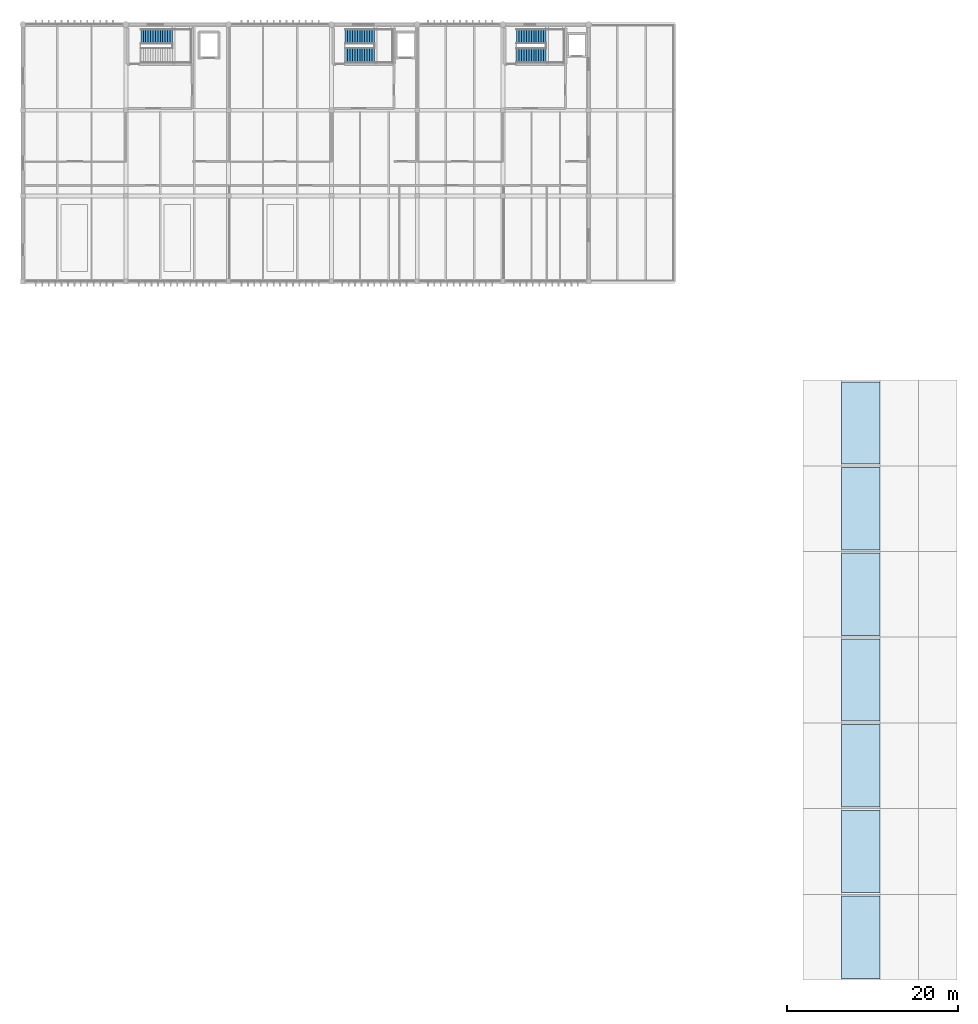
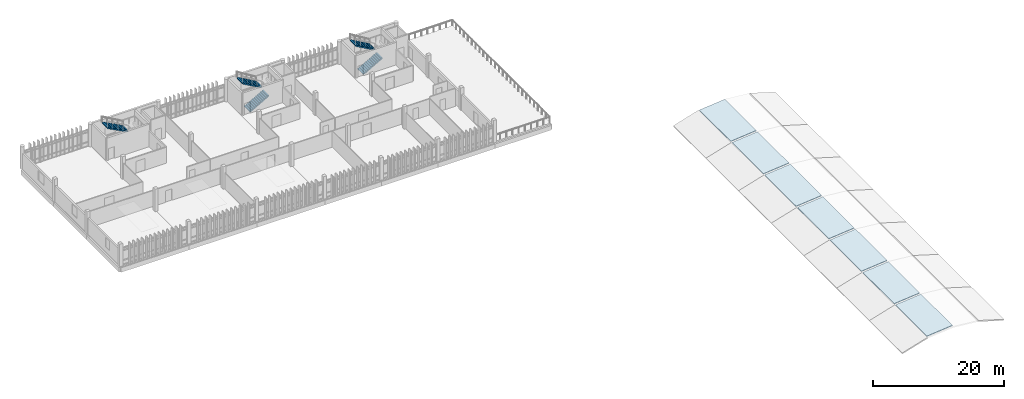
# One storey, part 27 of 29: 7 roofs, 5 stair flights, 3 elements without a shape of their own.
"""IFC4 building model written with IfcOpenShell, lengths in metres."""

import ifcopenshell
import ifcopenshell.guid

model = None  # the IFC model being written
_history = None  # IfcOwnerHistory: only IFC2X3 demands one
_inside = {}  # id of a spatial element -> (the spatial element, [elements in it])
_under = {}  # id of a project, library or spatial element -> (it, [spatial elements below it])
_declared = {}  # id of a project -> (the project, [libraries it declares])
_typed = {}  # id of a type object -> (the type object, [elements of that type])
_made_of = {}  # id of a material, layer set ... -> (it, [elements and type objects made of it])


def new_model(schema):
    """Start an empty IFC model of exactly this schema.

    Asked for "IFC4X3", IfcOpenShell would pick the latest addendum, in which some entities
    have other attributes; the version numbers below select the first issue.
    IFC2X3 requires an IfcOwnerHistory on every rooted entity: one is made here for all.
    """
    global model, _history
    if schema == "IFC4X3":
        model = ifcopenshell.file(schema_version=(4, 3, 0, 0))
    else:
        model = ifcopenshell.file(schema=schema)
    _inside.clear()
    _under.clear()
    _declared.clear()
    _typed.clear()
    _made_of.clear()
    _history = None
    if model.schema == "IFC2X3":
        org = make("IfcOrganization", Name="unknown")
        user = make(
            "IfcPersonAndOrganization",
            ThePerson=make("IfcPerson", FamilyName="unknown"),
            TheOrganization=org,
        )
        app = make(
            "IfcApplication",
            ApplicationDeveloper=org,
            Version="unknown",
            ApplicationFullName="unknown",
            ApplicationIdentifier="unknown",
        )
        _history = make(
            "IfcOwnerHistory",
            OwningUser=user,
            OwningApplication=app,
            ChangeAction="ADDED",
            CreationDate=0,
        )
    return model


def make(cls, **values):
    """One entity of the class cls with the attributes given. An attribute that is None is left unset."""
    return model.create_entity(
        cls, **{name: value for name, value in values.items() if value is not None}
    )


def rooted(cls, **values):
    """An entity with a GlobalId (a new one), such as an element, a storey or a relation."""
    return make(cls, GlobalId=ifcopenshell.guid.new(), OwnerHistory=_history, **values)


def si_unit(unit_type, name, prefix=None):
    """IfcSIUnit, for example si_unit("LENGTHUNIT", "METRE", prefix="MILLI")."""
    return make("IfcSIUnit", UnitType=unit_type, Prefix=prefix, Name=name)


def assignment(units):
    """IfcUnitAssignment: the units of a project."""
    return None if units is None else make("IfcUnitAssignment", Units=units)


def point(xyz):
    """IfcCartesianPoint."""
    return None if xyz is None else make("IfcCartesianPoint", Coordinates=xyz)


def direction(xyz):
    """IfcDirection."""
    return None if xyz is None else make("IfcDirection", DirectionRatios=xyz)


def frame(location, z_axis=None, x_axis=None):
    """IfcAxis2Placement3D, a coordinate frame: its origin and axes. An axis left out is left unset."""
    return make(
        "IfcAxis2Placement3D",
        Location=point(location),
        Axis=direction(z_axis),
        RefDirection=direction(x_axis),
    )


def origin():
    """The frame at (0, 0, 0) with its axes left unset."""
    return frame((0.0, 0.0, 0.0))


def place(relative_to, where):
    """IfcLocalPlacement: puts the frame where relative to a parent placement (None: the world)."""
    return make(
        "IfcLocalPlacement", PlacementRelTo=relative_to, RelativePlacement=where
    )


def context(
    kind, dimensions, precision=None, world=None, true_north=None, identifier=None
):
    """IfcGeometricRepresentationContext, for example the 3D "Model" context."""
    return make(
        "IfcGeometricRepresentationContext",
        ContextIdentifier=identifier,
        ContextType=kind,
        CoordinateSpaceDimension=dimensions,
        Precision=precision,
        WorldCoordinateSystem=world,
        TrueNorth=true_north,
    )


def subcontext(parent, identifier, kind, view, scale=None):
    """IfcGeometricRepresentationSubContext, for example "Body" below "Model"."""
    return make(
        "IfcGeometricRepresentationSubContext",
        ContextIdentifier=identifier,
        ContextType=kind,
        ParentContext=parent,
        TargetScale=scale,
        TargetView=view,
    )


def project(units=None, contexts=None):
    """IfcProject with its units and contexts."""
    return rooted(
        "IfcProject",
        Name="project",
        RepresentationContexts=contexts,
        UnitsInContext=assignment(units),
    )


def spatial(cls, under=None, at=None, **own):
    """A site, building, storey or space (cls), placed at a placement, below another one or the project."""
    s = rooted(cls, ObjectPlacement=at, **own)
    if under is not None:
        _under.setdefault(under.id(), (under, []))[1].append(s)
    return s


def polyline(points):
    """IfcPolyline through the points."""
    return make("IfcPolyline", Points=[point(p) for p in points])


def outline(outer, holes=None, kind="AREA"):
    """IfcArbitraryClosedProfileDef: a profile drawn as a closed curve; with holes, ...WithVoids."""
    if holes is None:
        return make("IfcArbitraryClosedProfileDef", ProfileType=kind, OuterCurve=outer)
    return make(
        "IfcArbitraryProfileDefWithVoids",
        ProfileType=kind,
        OuterCurve=outer,
        InnerCurves=holes,
    )


def extrude(swept, where, along, depth):
    """IfcExtrudedAreaSolid: the profile swept, set in the frame where, extruded along a direction by depth."""
    return make(
        "IfcExtrudedAreaSolid",
        SweptArea=swept,
        Position=where,
        ExtrudedDirection=direction(along),
        Depth=depth,
    )


def shape(context_of_items, identifier, shape_type, items):
    """IfcShapeRepresentation: the items that make up one representation, for example the "Body"."""
    return make(
        "IfcShapeRepresentation",
        ContextOfItems=context_of_items,
        RepresentationIdentifier=identifier,
        RepresentationType=shape_type,
        Items=items,
    )


def material(Name=None, Category=None):
    """IfcMaterial."""
    return make("IfcMaterial", Name=Name, Category=Category)


def layer(
    of_material, thickness, ventilated=None, Name=None, Category=None, Priority=None
):
    """IfcMaterialLayer: one layer of a wall or slab, of a material (None: an air gap)."""
    return make(
        "IfcMaterialLayer",
        Material=of_material,
        LayerThickness=thickness,
        IsVentilated=ventilated,
        Name=Name,
        Category=Category,
        Priority=Priority,
    )


def layer_set(layers, Name=None):
    """IfcMaterialLayerSet."""
    return make("IfcMaterialLayerSet", MaterialLayers=layers, LayerSetName=Name)


def made_of(thing, what):
    """Note that an element or type object is made of a material, layer set ...; save() writes the relation."""
    if what is not None:
        _made_of.setdefault(what.id(), (what, []))[1].append(thing)
    return thing


def type_object(cls, material=None, **own):
    """A type object (cls), such as IfcWallType, which elements share."""
    return made_of(rooted(cls, **own), material)


def element(
    cls,
    number,
    at=None,
    inside=None,
    cuts=None,
    type_object=None,
    material=None,
    context=None,
    identifier="Body",
    shape_type=None,
    held_by="IfcProductDefinitionShape",
    body=None,
    shapes=None,
    **own,
):
    """One element of the class cls, such as IfcWall. Its Tag is "e" and its number.

    at: its placement. inside: the storey or other place that contains it. cuts: it is an
    opening in that element (IfcRelVoidsElement). A single representation is given by context,
    identifier, shape_type and body (its items); several are given by shapes. held_by: the class
    of the entity that holds the representations. save() writes the other relations.
    """
    e = rooted(cls, Tag="e%d" % number, ObjectPlacement=at, **own)
    if body is not None:
        shapes = [shape(context, identifier, shape_type, body)]
    if shapes is not None:
        e.Representation = make(held_by, Representations=shapes)
    if inside is not None:
        _inside.setdefault(inside.id(), (inside, []))[1].append(e)
    if cuts is not None:
        rooted(
            "IfcRelVoidsElement", RelatingBuildingElement=cuts, RelatedOpeningElement=e
        )
    if type_object is not None:
        _typed.setdefault(type_object.id(), (type_object, []))[1].append(e)
    return made_of(e, material)


def aggregate(whole, parts):
    """IfcRelAggregates: a whole, such as a stair, and the parts it consists of."""
    return rooted("IfcRelAggregates", RelatingObject=whole, RelatedObjects=parts)


def save(model, path):
    """Write the relations noted so far, then the file.

    IfcRelAggregates (storeys below a building ...), IfcRelContainedInSpatialStructure (elements
    in a storey), IfcRelDefinesByType, IfcRelAssociatesMaterial and IfcRelDeclares: one each for
    every whole, place, type object, material and project.
    """
    for whole, parts in _under.values():
        aggregate(whole, parts)
    for where, things in _inside.values():
        rooted(
            "IfcRelContainedInSpatialStructure",
            RelatedElements=things,
            RelatingStructure=where,
        )
    for kind, things in _typed.values():
        rooted("IfcRelDefinesByType", RelatedObjects=things, RelatingType=kind)
    for what, things in _made_of.values():
        rooted("IfcRelAssociatesMaterial", RelatedObjects=things, RelatingMaterial=what)
    for by, libraries in _declared.values():
        rooted("IfcRelDeclares", RelatingContext=by, RelatedDefinitions=libraries)
    model.write(path)


model = new_model("IFC4")

# Units and contexts
model_context = context("Model", 3, precision=1e-05, world=origin(), true_north=direction((0.0, 1.0)))
body_context = subcontext(model_context, "Body", "Model", "MODEL_VIEW")
ifc_project = project(units=[si_unit("LENGTHUNIT", "METRE"), si_unit("AREAUNIT", "SQUARE_METRE"), si_unit("VOLUMEUNIT", "CUBIC_METRE"), si_unit("PLANEANGLEUNIT", "RADIAN"), si_unit("MASSUNIT", "GRAM", prefix="KILO")], contexts=[model_context])

# Site, building, storey
site_placement = place(None, origin())
site = spatial("IfcSite", under=ifc_project, at=site_placement, CompositionType="ELEMENT")
building_placement = place(site_placement, origin())
building = spatial("IfcBuilding", under=site, at=building_placement, Name="Mersad Railyard Sports Hall", CompositionType="ELEMENT")
storey_placement = place(building_placement, frame((0.0, 0.0, 17.39990234375)))
storey = spatial("IfcBuildingStorey", under=building, at=storey_placement, Name="L04", CompositionType="ELEMENT", Elevation=17.39990234375)

# Stair, stair flight
ifc_material_1 = material(Name="Concrete C40/50", Category="concrete")
stair_type_1 = type_object("IfcStairType", Name="ARC-ST-ST01F", PredefinedType="HALF_TURN_STAIR", material=ifc_material_1)
stair_1_placement = place(storey_placement, origin())
stair_1 = element("IfcStair", 1, at=stair_1_placement, inside=storey, type_object=stair_type_1, Name="Core C1 Exit Stair L04-L05", PredefinedType="HALF_TURN_STAIR")
stair_flight_type_1 = type_object("IfcStairFlightType", Name="ARC-SF-ST01FF", PredefinedType="STRAIGHT", material=ifc_material_1)
stair_flight_1_placement = place(storey_placement, frame((72.44189453125, 113.610107421875, 2.10009765625), z_axis=(0.0, 0.0, 1.0), x_axis=(-1.0, 0.0, 0.0)))
stair_flight_1 = element("IfcStairFlight", 2, at=stair_flight_1_placement, type_object=stair_flight_type_1, Name="Core C1 Exit Stair L04-L05 Flight 2", NumberOfRisers=14, NumberOfTreads=13, PredefinedType="STRAIGHT", RiserHeight=0.15, TreadLength=0.284, context=body_context, shape_type="SweptSolid", body=[
    extrude(outline(polyline([(0.0, 0.0), (0.0, 0.14990234375), (0.283935546875, 0.14990234375), (0.283935546875, 0.300048828125), (0.568115234375, 0.300048828125), (0.568115234375, 0.449951171875), (0.85205078125, 0.449951171875), (0.85205078125, 0.60009765625), (1.135986328125, 0.60009765625), (1.135986328125, 0.75), (1.419921875, 0.75), (1.419921875, 0.89990234375), (1.7041015625, 0.89990234375), (1.7041015625, 1.050048828125), (1.988037109375, 1.050048828125), (1.988037109375, 1.199951171875), (2.27197265625, 1.199951171875), (2.27197265625, 1.35009765625), (2.555908203125, 1.35009765625), (2.555908203125, 1.5), (2.840087890625, 1.5), (2.840087890625, 1.64990234375), (3.1240234375, 1.64990234375), (3.1240234375, 1.800048828125), (3.407958984375, 1.800048828125), (3.407958984375, 1.949951171875), (3.69189453125, 1.949951171875), (3.69189453125, 2.10009765625), (3.69189453125, 1.76904296875), (0.34228515625, 0.0), (0.0, 0.0)])), frame((0.0, 0.8701171875, 0.0), z_axis=(0.0, -1.0, 0.0), x_axis=(1.0, 0.0, 0.0)), (0.0, 0.0, 1.0), 1.739990234375),
])
aggregate(stair_1, [stair_flight_1])

# Stair, stair flights
stair_type_2 = type_object("IfcStairType", Name="ARC-ST-ST02F", PredefinedType="HALF_TURN_STAIR", material=ifc_material_1)
stair_2_placement = place(storey_placement, origin())
stair_2 = element("IfcStair", 3, at=stair_2_placement, inside=storey, type_object=stair_type_2, Name="Core C2 Exit Stair L04-L05", PredefinedType="HALF_TURN_STAIR")
stair_flight_type_2 = type_object("IfcStairFlightType", Name="ARC-SF-ST02FF", PredefinedType="STRAIGHT", material=ifc_material_1)
stair_flight_2_placement = place(storey_placement, frame((92.60009765625, 111.389892578125, 0.0), z_axis=(0.0, 0.0, 1.0), x_axis=(1.0, 0.0, 0.0)))
stair_flight_2 = element("IfcStairFlight", 4, at=stair_flight_2_placement, type_object=stair_flight_type_2, Name="Core C2 Exit Stair L04-L05 Flight 1", NumberOfRisers=13, NumberOfTreads=12, PredefinedType="STRAIGHT", RiserHeight=0.161538, TreadLength=0.284, context=body_context, shape_type="SweptSolid", body=[
    extrude(outline(polyline([(0.0, 0.0), (0.0, 0.16162109375), (0.283935546875, 0.16162109375), (0.283935546875, 0.322998046875), (0.568115234375, 0.322998046875), (0.568115234375, 0.484619140625), (0.85205078125, 0.484619140625), (0.85205078125, 0.646240234375), (1.135986328125, 0.646240234375), (1.135986328125, 0.8076171875), (1.419921875, 0.8076171875), (1.419921875, 0.96923828125), (1.7041015625, 0.96923828125), (1.7041015625, 1.130859375), (1.988037109375, 1.130859375), (1.988037109375, 1.292236328125), (2.27197265625, 1.292236328125), (2.27197265625, 1.453857421875), (2.555908203125, 1.453857421875), (2.555908203125, 1.615478515625), (2.840087890625, 1.615478515625), (2.840087890625, 1.77685546875), (3.1240234375, 1.77685546875), (3.1240234375, 1.9384765625), (3.407958984375, 1.9384765625), (3.407958984375, 2.10009765625), (3.407958984375, 1.75439453125), (0.323486328125, 0.0), (0.0, 0.0)])), frame((0.0, 0.8701171875, 0.0), z_axis=(0.0, -1.0, 0.0), x_axis=(1.0, 0.0, 0.0)), (0.0, 0.0, 1.0), 1.739990234375),
])
stair_flight_3_placement = place(storey_placement, frame((96.008056640625, 113.610107421875, 2.10009765625), z_axis=(0.0, 0.0, 1.0), x_axis=(-1.0, 0.0, 0.0)))
stair_flight_3 = element("IfcStairFlight", 5, at=stair_flight_3_placement, type_object=stair_flight_type_2, Name="Core C2 Exit Stair L04-L05 Flight 2", NumberOfRisers=13, NumberOfTreads=12, PredefinedType="STRAIGHT", RiserHeight=0.161538, TreadLength=0.284, context=body_context, shape_type="SweptSolid", body=[
    extrude(outline(polyline([(0.0, 0.0), (0.0, 0.16162109375), (0.283935546875, 0.16162109375), (0.283935546875, 0.322998046875), (0.568115234375, 0.322998046875), (0.568115234375, 0.484619140625), (0.85205078125, 0.484619140625), (0.85205078125, 0.646240234375), (1.135986328125, 0.646240234375), (1.135986328125, 0.8076171875), (1.419921875, 0.8076171875), (1.419921875, 0.96923828125), (1.7041015625, 0.96923828125), (1.7041015625, 1.130859375), (1.988037109375, 1.130859375), (1.988037109375, 1.292236328125), (2.27197265625, 1.292236328125), (2.27197265625, 1.453857421875), (2.555908203125, 1.453857421875), (2.555908203125, 1.615478515625), (2.840087890625, 1.615478515625), (2.840087890625, 1.77685546875), (3.1240234375, 1.77685546875), (3.1240234375, 1.9384765625), (3.407958984375, 1.9384765625), (3.407958984375, 2.10009765625), (3.407958984375, 1.75439453125), (0.323486328125, 0.0), (0.0, 0.0)])), frame((0.0, 0.8701171875, 0.0), z_axis=(0.0, -1.0, 0.0), x_axis=(1.0, 0.0, 0.0)), (0.0, 0.0, 1.0), 1.739990234375),
])
aggregate(stair_2, [stair_flight_2, stair_flight_3])

stair_type_3 = type_object("IfcStairType", Name="ARC-ST-ST03F", PredefinedType="HALF_TURN_STAIR", material=ifc_material_1)
stair_3_placement = place(storey_placement, origin())
stair_3 = element("IfcStair", 6, at=stair_3_placement, inside=storey, type_object=stair_type_3, Name="Core C3 Exit Stair L04-L05", PredefinedType="HALF_TURN_STAIR")
stair_flight_type_3 = type_object("IfcStairFlightType", Name="ARC-SF-ST03FF", PredefinedType="STRAIGHT", material=ifc_material_1)
stair_flight_4_placement = place(storey_placement, frame((112.60009765625, 111.3701171875, 0.0), z_axis=(0.0, 0.0, 1.0), x_axis=(1.0, 0.0, 0.0)))
stair_flight_4 = element("IfcStairFlight", 7, at=stair_flight_4_placement, type_object=stair_flight_type_3, Name="Core C3 Exit Stair L04-L05 Flight 1", NumberOfRisers=13, NumberOfTreads=12, PredefinedType="STRAIGHT", RiserHeight=0.161538, TreadLength=0.286, context=body_context, shape_type="SweptSolid", body=[
    extrude(outline(polyline([(0.0, 0.0), (0.0, 0.16162109375), (0.285888671875, 0.16162109375), (0.285888671875, 0.322998046875), (0.572021484375, 0.322998046875), (0.572021484375, 0.484619140625), (0.85791015625, 0.484619140625), (0.85791015625, 0.646240234375), (1.14404296875, 0.646240234375), (1.14404296875, 0.8076171875), (1.429931640625, 0.8076171875), (1.429931640625, 0.96923828125), (1.716064453125, 0.96923828125), (1.716064453125, 1.130859375), (2.001953125, 1.130859375), (2.001953125, 1.292236328125), (2.2880859375, 1.292236328125), (2.2880859375, 1.453857421875), (2.573974609375, 1.453857421875), (2.573974609375, 1.615478515625), (2.860107421875, 1.615478515625), (2.860107421875, 1.77685546875), (3.14599609375, 1.77685546875), (3.14599609375, 1.9384765625), (3.431884765625, 1.9384765625), (3.431884765625, 2.10009765625), (3.431884765625, 1.7548828125), (0.3251953125, 0.0), (0.0, 0.0)])), frame((0.0, 0.85009765625, 0.0), z_axis=(0.0, -1.0, 0.0), x_axis=(1.0, 0.0, 0.0)), (0.0, 0.0, 1.0), 1.699951171875),
])
stair_flight_5_placement = place(storey_placement, frame((116.031982421875, 113.6298828125, 2.10009765625), z_axis=(0.0, 0.0, 1.0), x_axis=(-1.0, 0.0, 0.0)))
stair_flight_5 = element("IfcStairFlight", 8, at=stair_flight_5_placement, type_object=stair_flight_type_3, Name="Core C3 Exit Stair L04-L05 Flight 2", NumberOfRisers=13, NumberOfTreads=12, PredefinedType="STRAIGHT", RiserHeight=0.161538, TreadLength=0.286, context=body_context, shape_type="SweptSolid", body=[
    extrude(outline(polyline([(0.0, 0.0), (0.0, 0.16162109375), (0.285888671875, 0.16162109375), (0.285888671875, 0.322998046875), (0.572021484375, 0.322998046875), (0.572021484375, 0.484619140625), (0.85791015625, 0.484619140625), (0.85791015625, 0.646240234375), (1.14404296875, 0.646240234375), (1.14404296875, 0.8076171875), (1.429931640625, 0.8076171875), (1.429931640625, 0.96923828125), (1.716064453125, 0.96923828125), (1.716064453125, 1.130859375), (2.001953125, 1.130859375), (2.001953125, 1.292236328125), (2.2880859375, 1.292236328125), (2.2880859375, 1.453857421875), (2.573974609375, 1.453857421875), (2.573974609375, 1.615478515625), (2.860107421875, 1.615478515625), (2.860107421875, 1.77685546875), (3.14599609375, 1.77685546875), (3.14599609375, 1.9384765625), (3.431884765625, 1.9384765625), (3.431884765625, 2.10009765625), (3.431884765625, 1.7548828125), (0.3251953125, 0.0), (0.0, 0.0)])), frame((0.0, 0.85009765625, 0.0), z_axis=(0.0, -1.0, 0.0), x_axis=(1.0, 0.0, 0.0)), (0.0, 0.0, 1.0), 1.699951171875),
])
aggregate(stair_3, [stair_flight_4, stair_flight_5])

# Roofs
ifc_material_2 = material(Name="Architectural concrete C50/60", Category="concrete")
ifc_layer = layer(ifc_material_2, 0.1201171875)
ifc_layer_set = layer_set([ifc_layer], Name="Architectural concrete C50/60")
roof_type = type_object("IfcRoofType", Name="ARC-RF-BV01", PredefinedType="BARREL_ROOF", material=ifc_layer_set)
for number, where, z_axis, x_axis, name in (
    (9, (150.5, 3.699951171875, 2.68505859375), (-0.09623099978, 0.0, 0.99535902803), (0.99535902803, 0.0, 0.09623099978), "Show court barrel vault roof shell V2-1"),
    (10, (150.5, 13.699951171875, 2.68505859375), (-0.09623099978, 0.0, 0.99535902803), (0.99535902803, 0.0, 0.09623099978), "Show court barrel vault roof shell V2-2"),
    (11, (150.5, 23.699951171875, 2.68505859375), (-0.09623099978, 0.0, 0.99535902803), (0.99535902803, 0.0, 0.09623099978), "Show court barrel vault roof shell V2-3"),
    (12, (150.5, 33.699951171875, 2.68505859375), (-0.09623099978, 0.0, 0.99535902803), (0.99535902803, 0.0, 0.09623099978), "Show court barrel vault roof shell V2-4"),
    (13, (150.5, 43.699951171875, 2.68505859375), (-0.09623099978, 0.0, 0.99535902803), (0.99535902803, 0.0, 0.09623099978), "Show court barrel vault roof shell V2-5"),
    (14, (150.5, 53.699951171875, 2.68505859375), (-0.09623099978, 0.0, 0.99535902803), (0.99535902803, 0.0, 0.09623099978), "Show court barrel vault roof shell V2-6"),
    (15, (150.5, 63.699951171875, 2.68505859375), (-0.09623099978, 0.0, 0.99535902803), (0.99535902803, 0.0, 0.09623099978), "Show court barrel vault roof shell V2-7"),
):
    element("IfcRoof", number, at=place(storey_placement, frame(where, z_axis=z_axis, x_axis=x_axis)), inside=storey, type_object=roof_type, Name=name, PredefinedType="BARREL_ROOF", context=body_context, shape_type="SweptSolid", body=[
        extrude(outline(polyline([(0.0, 0.0), (4.520981749575609, 0.0), (4.520981749575609, 9.600097656250002), (0.0, 9.600097656250002), (0.0, 0.0)])), origin(), (0.0, 0.0, -1.0), 0.1201171875),
    ])

save(model, "model.ifc")
